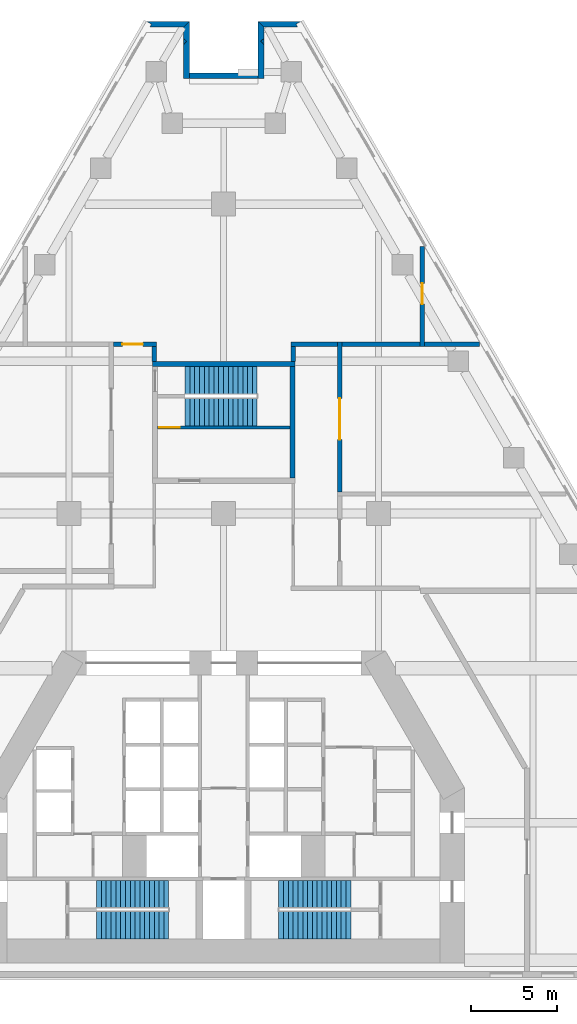
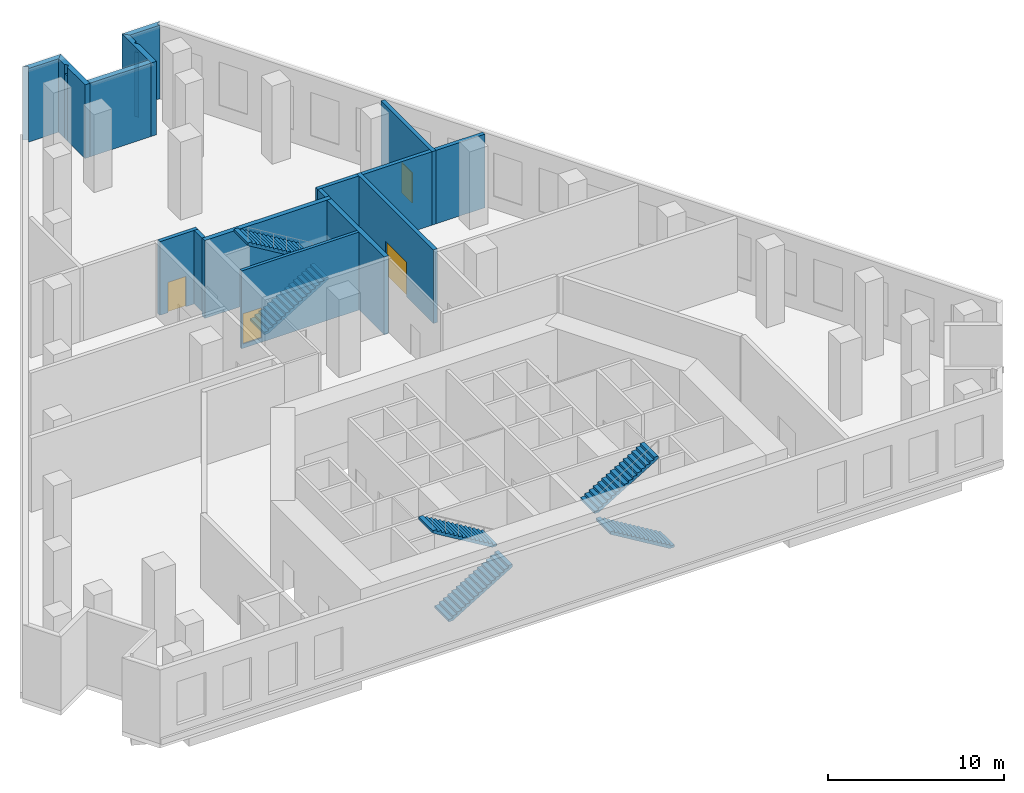
# One storey, part 9 of 10: 18 walls, 6 stair flights, 4 doors, 4 openings, 3 elements without a shape of their own.
"""IFC4 building model written with IfcOpenShell, lengths in metres."""

from ifc_helpers import new_model, si_unit, direction, frame, frame_2d, origin, place, context, subcontext, project, spatial, polyline, rectangle, outline, extrude, material, layer, layer_set, type_object, element, fill, aggregate, save


model = new_model("IFC4")

# Units and contexts
model_context = context("Model", 3, precision=1e-05, world=origin(), true_north=direction((0.0, 1.0)))
body_context = subcontext(model_context, "Body", "Model", "MODEL_VIEW")
ifc_project = project(units=[si_unit("LENGTHUNIT", "METRE"), si_unit("AREAUNIT", "SQUARE_METRE"), si_unit("VOLUMEUNIT", "CUBIC_METRE"), si_unit("PLANEANGLEUNIT", "RADIAN"), si_unit("MASSUNIT", "GRAM", prefix="KILO")], contexts=[model_context])

# Site, building, storey
site_placement = place(None, origin())
site = spatial("IfcSite", under=ifc_project, at=site_placement, CompositionType="ELEMENT")
building_placement = place(site_placement, origin())
building = spatial("IfcBuilding", under=site, at=building_placement, Name="Fogline Exchange Tower", CompositionType="ELEMENT")
storey_placement = place(building_placement, frame((0.0, 0.0, 47.5)))
storey = spatial("IfcBuildingStorey", under=building, at=storey_placement, Name="L09", CompositionType="ELEMENT", Elevation=47.5)

# Wall, opening, door
ifc_material_1 = material(Name="Concrete C40", Category="concrete")
ifc_layer_1 = layer(ifc_material_1, 0.199951171875)
ifc_layer_set_1 = layer_set([ifc_layer_1], Name="CW20R")
wall_type_1 = type_object("IfcWallType", Name="CW20R", PredefinedType="SOLIDWALL", material=ifc_layer_set_1)
wall_1_placement = place(storey_placement, frame((-3.85009765625, 32.007080078125, -0.300048828125), z_axis=(0.0, 0.0, 1.0), x_axis=(1.0, 0.0, 0.0)))
wall_1 = element("IfcWall", 1, at=wall_1_placement, inside=storey, type_object=wall_type_1, Name="Stair enclosure wall ST3", PredefinedType="SOLIDWALL", context=body_context, shape_type="SweptSolid", body=[
    extrude(rectangle(XDim=7.7001953125, YDim=0.199951171875, at=frame_2d((3.85009765625, 0.0))), origin(), (0.0, 0.0, 1.0), 5.400146484375),
])
opening_1_placement = place(wall_1_placement, frame((0.10009765625, 0.0, 0.300048828125)))
opening_1 = element("IfcOpeningElement", 2, at=opening_1_placement, cuts=wall_1, Name="Opening L09-C025", PredefinedType="OPENING", context=body_context, shape_type="SweptSolid", body=[
    extrude(rectangle(XDim=1.199951171875, YDim=2.10009765625, at=frame_2d((0.60009765625, 1.050048828125))), frame((0.0, 0.10986328125, 0.0), z_axis=(0.0, -1.0, 0.0), x_axis=(1.0, 0.0, 0.0)), (0.0, 0.0, 1.0), 0.219970703125),
])
ifc_material_2 = material(Name="Steel and timber fire door", Category="steel")
door_type_1 = type_object("IfcDoorType", Name="D-ST1", OperationType="SINGLE_SWING_LEFT", PredefinedType="DOOR", material=ifc_material_2)
door_1_placement = place(opening_1_placement, origin())
door_1 = element("IfcDoor", 3, at=door_1_placement, inside=storey, type_object=door_type_1, Name="Stair door ST3", OperationType="SINGLE_SWING_LEFT", OverallHeight=2.10009765625, OverallWidth=1.199951171875, PredefinedType="DOOR", context=body_context, shape_type="SweptSolid", body=[
    extrude(rectangle(XDim=1.199951171875, YDim=2.10009765625, at=frame_2d((0.60009765625, 1.050048828125))), frame((0.0, 0.02490234375, 0.0), z_axis=(0.0, -1.0, 0.0), x_axis=(1.0, 0.0, 0.0)), (0.0, 0.0, 1.0), 0.050048828125),
])
fill(opening_1, door_1)

# Walls
ifc_layer_2 = layer(ifc_material_1, 0.300048828125)
ifc_layer_set_2 = layer_set([ifc_layer_2], Name="CW30")
wall_type_2 = type_object("IfcWallType", Name="CW30", PredefinedType="SOLIDWALL", material=ifc_layer_set_2)
wall_2_placement = place(storey_placement, frame((-4.14990234375, 35.70703125, -0.300048828125), z_axis=(0.0, 0.0, 1.0), x_axis=(1.0, 0.0, 0.0)))
element("IfcWall", 4, at=wall_2_placement, inside=storey, type_object=wall_type_2, Name="Stair enclosure wall ST3", PredefinedType="SOLIDWALL", context=body_context, shape_type="SweptSolid", body=[
    extrude(rectangle(XDim=8.2998046875, YDim=0.300048828125, at=frame_2d((4.14990234375, 0.0))), origin(), (0.0, 0.0, 1.0), 5.400146484375),
])
wall_3_placement = place(storey_placement, frame((4.0, 29.056884765625, -0.300048828125), z_axis=(0.0, 0.0, 1.0), x_axis=(0.0, 1.0, 0.0)))
element("IfcWall", 5, at=wall_3_placement, inside=storey, type_object=wall_type_2, Name="Stair enclosure wall ST3", PredefinedType="SOLIDWALL", context=body_context, shape_type="SweptSolid", body=[
    extrude(rectangle(XDim=6.5, YDim=0.300048828125, at=frame_2d((3.25, 0.0))), origin(), (0.0, 0.0, 1.0), 5.400146484375),
])
ifc_material_3 = material(Name="Brick masonry", Category="masonry")
ifc_layer_3 = layer(ifc_material_3, 0.340087890625)
ifc_layer_set_3 = layer_set([ifc_layer_3], Name="FW3")
wall_type_3 = type_object("IfcWallType", Name="FW3", PredefinedType="SOLIDWALL", material=ifc_layer_set_3)
wall_4_placement = place(storey_placement, origin())
element("IfcWall", 6, at=wall_4_placement, inside=storey, type_object=wall_type_3, Name="Brick wall L09 N-c1", PredefinedType="SOLIDWALL", context=body_context, shape_type="SweptSolid", body=[
    extrude(outline(polyline([(1.9990234375, 55.647216796875), (4.5009765625, 55.647216796875), (4.501220703125, 55.646728515625), (4.206298828125, 55.476318359375), (4.3046875, 55.30615234375), (2.33984375, 55.30615234375), (1.998779296875, 55.64697265625), (1.9990234375, 55.647216796875)])), origin(), (0.0, 0.0, 1.0), 5.10009765625),
])
wall_5_placement = place(storey_placement, origin())
element("IfcWall", 7, at=wall_5_placement, inside=storey, type_object=wall_type_3, Name="Brick wall L09 N-s1", PredefinedType="SOLIDWALL", context=body_context, shape_type="SweptSolid", body=[
    extrude(outline(polyline([(2.340576171875, 54.28466796875), (2.16845703125, 54.48974609375), (2.340576171875, 54.634521484375), (2.340576171875, 54.28466796875)])), origin(), (0.0, 0.0, 1.0), 4.5),
])
wall_6_placement = place(storey_placement, origin())
element("IfcWall", 8, at=wall_6_placement, inside=storey, type_object=wall_type_3, Name="Brick wall L09 N-s1", PredefinedType="SOLIDWALL", context=body_context, shape_type="SweptSolid", body=[
    extrude(outline(polyline([(1.99951171875, 52.30615234375), (1.99951171875, 55.647705078125), (1.999755859375, 55.647705078125), (2.340576171875, 55.306884765625), (2.340576171875, 54.634521484375), (2.16845703125, 54.48974609375), (2.340576171875, 54.28466796875), (2.340576171875, 52.30615234375), (1.99951171875, 52.30615234375)])), origin(), (0.0, 0.0, 1.0), 5.10009765625),
])
wall_7_placement = place(storey_placement, frame((2.0, 52.4765625, 0.0), z_axis=(0.0, 0.0, 1.0), x_axis=(-1.0, 0.0, 0.0)))
element("IfcWall", 9, at=wall_7_placement, inside=storey, type_object=wall_type_3, Name="Brick wall L09 N-bk", PredefinedType="SOLIDWALL", context=body_context, shape_type="SweptSolid", body=[
    extrude(rectangle(XDim=4.0, YDim=0.340087890625, at=frame_2d((2.0, 0.0))), origin(), (0.0, 0.0, 1.0), 5.10009765625),
])
wall_8_placement = place(storey_placement, origin())
element("IfcWall", 10, at=wall_8_placement, inside=storey, type_object=wall_type_3, Name="Brick wall L09 N-s2", PredefinedType="SOLIDWALL", context=body_context, shape_type="SweptSolid", body=[
    extrude(outline(polyline([(-2.340576171875, 54.63330078125), (-2.169921875, 54.489990234375), (-2.340576171875, 54.28662109375), (-2.340576171875, 54.63330078125)])), origin(), (0.0, 0.0, 1.0), 4.5),
])
wall_9_placement = place(storey_placement, origin())
element("IfcWall", 11, at=wall_9_placement, inside=storey, type_object=wall_type_3, Name="Brick wall L09 N-s2", PredefinedType="SOLIDWALL", context=body_context, shape_type="SweptSolid", body=[
    extrude(outline(polyline([(-1.99951171875, 52.30615234375), (-2.340576171875, 52.30615234375), (-2.340576171875, 54.28662109375), (-2.169921875, 54.489990234375), (-2.340576171875, 54.63330078125), (-2.340576171875, 55.306884765625), (-1.999755859375, 55.647705078125), (-1.99951171875, 55.647705078125), (-1.99951171875, 52.30615234375)])), origin(), (0.0, 0.0, 1.0), 5.10009765625),
])
wall_10_placement = place(storey_placement, origin())
element("IfcWall", 12, at=wall_10_placement, inside=storey, type_object=wall_type_3, Name="Brick wall L09 N-c2", PredefinedType="SOLIDWALL", context=body_context, shape_type="SweptSolid", body=[
    extrude(outline(polyline([(-4.3046875, 55.30615234375), (-4.206298828125, 55.476318359375), (-4.501220703125, 55.646728515625), (-4.5009765625, 55.647216796875), (-1.9990234375, 55.647216796875), (-1.998779296875, 55.64697265625), (-2.33984375, 55.30615234375), (-4.3046875, 55.30615234375)])), origin(), (0.0, 0.0, 1.0), 5.10009765625),
])

# Wall, opening, door
ifc_layer_4 = layer(ifc_material_1, 0.25)
ifc_layer_set_4 = layer_set([ifc_layer_4], Name="PP3")
wall_type_4 = type_object("IfcWallType", Name="PP3", PredefinedType="SOLIDWALL", material=ifc_layer_set_4)
wall_11_placement = place(storey_placement, frame((6.75, 36.98095703125, 0.0), z_axis=(0.0, 0.0, 1.0), x_axis=(0.0, -1.0, 0.0)))
wall_11 = element("IfcWall", 13, at=wall_11_placement, inside=storey, type_object=wall_type_4, Name="PP3 partition", PredefinedType="SOLIDWALL", context=body_context, shape_type="SweptSolid", body=[
    extrude(rectangle(XDim=8.718017578125, YDim=0.25, at=frame_2d((4.35888671875, 0.0))), origin(), (0.0, 0.0, 1.0), 5.10009765625),
])
opening_2_placement = place(wall_11_placement, frame((3.283935546875, 0.0, 0.0)))
opening_2 = element("IfcOpeningElement", 14, at=opening_2_placement, cuts=wall_11, Name="Opening L09-D008", PredefinedType="OPENING", context=body_context, shape_type="SweptSolid", body=[
    extrude(rectangle(XDim=2.39990234375, YDim=2.39990234375, at=frame_2d((1.199951171875, 1.199951171875))), frame((0.0, 0.135009765625, 0.0), z_axis=(0.0, -1.0, 0.0), x_axis=(1.0, 0.0, 0.0)), (0.0, 0.0, 1.0), 0.27001953125),
])
ifc_material_4 = material(Name="Steel Q235B", Category="steel")
door_type_2 = type_object("IfcDoorType", Name="PD9", OperationType="DOUBLE_DOOR_SINGLE_SWING", PredefinedType="DOOR", material=ifc_material_4)
door_2_placement = place(opening_2_placement, origin())
door_2 = element("IfcDoor", 15, at=door_2_placement, inside=storey, type_object=door_type_2, Name="L09-D008", OperationType="DOUBLE_DOOR_SINGLE_SWING", OverallHeight=2.39990234375, OverallWidth=2.39990234375, PredefinedType="DOOR", context=body_context, shape_type="SweptSolid", body=[
    extrude(rectangle(XDim=2.39990234375, YDim=2.39990234375, at=frame_2d((1.199951171875, 1.199951171875))), frame((0.0, 0.02490234375, 0.0), z_axis=(0.0, -1.0, 0.0), x_axis=(1.0, 0.0, 0.0)), (0.0, 0.0, 1.0), 0.050048828125),
])
fill(opening_2, door_2)

wall_12_placement = place(storey_placement, frame((11.550048828125, 42.539306640625, 0.0), z_axis=(0.0, 0.0, 1.0), x_axis=(0.0, -1.0, 0.0)))
wall_12 = element("IfcWall", 16, at=wall_12_placement, inside=storey, type_object=wall_type_4, Name="PP3 partition", PredefinedType="SOLIDWALL", context=body_context, shape_type="SweptSolid", body=[
    extrude(rectangle(XDim=5.807373046875, YDim=0.25, at=frame_2d((2.90380859375, 0.0))), origin(), (0.0, 0.0, 1.0), 5.10009765625),
])
opening_3_placement = place(wall_12_placement, frame((2.15283203125, 0.0, 0.0)))
opening_3 = element("IfcOpeningElement", 17, at=opening_3_placement, cuts=wall_12, Name="Opening L09-D010", PredefinedType="OPENING", context=body_context, shape_type="SweptSolid", body=[
    extrude(rectangle(XDim=1.199951171875, YDim=2.10009765625, at=frame_2d((0.60009765625, 1.050048828125))), frame((0.0, 0.135009765625, 0.0), z_axis=(0.0, -1.0, 0.0), x_axis=(1.0, 0.0, 0.0)), (0.0, 0.0, 1.0), 0.27001953125),
])
door_type_3 = type_object("IfcDoorType", Name="PD7", OperationType="SINGLE_SWING_LEFT", PredefinedType="DOOR", material=ifc_material_4)
door_3_placement = place(opening_3_placement, origin())
door_3 = element("IfcDoor", 18, at=door_3_placement, inside=storey, type_object=door_type_3, Name="L09-D010", OperationType="SINGLE_SWING_LEFT", OverallHeight=2.10009765625, OverallWidth=1.199951171875, PredefinedType="DOOR", context=body_context, shape_type="SweptSolid", body=[
    extrude(rectangle(XDim=1.199951171875, YDim=2.10009765625, at=frame_2d((0.60009765625, 1.050048828125))), frame((0.0, 0.02490234375, 0.0), z_axis=(0.0, -1.0, 0.0), x_axis=(1.0, 0.0, 0.0)), (0.0, 0.0, 1.0), 0.050048828125),
])
fill(opening_3, door_3)

# Walls
wall_13_placement = place(storey_placement, frame((11.425048828125, 36.85595703125, 0.0), z_axis=(0.0, 0.0, 1.0), x_axis=(-1.0, 0.0, 0.0)))
element("IfcWall", 19, at=wall_13_placement, inside=storey, type_object=wall_type_4, Name="PP3 partition", PredefinedType="SOLIDWALL", context=body_context, shape_type="SweptSolid", body=[
    extrude(rectangle(XDim=4.550048828125, YDim=0.25, at=frame_2d((2.27490234375, 0.0))), origin(), (0.0, 0.0, 1.0), 5.10009765625),
])
wall_14_placement = place(storey_placement, frame((11.675048828125, 36.85693359375, 0.0), z_axis=(0.0, 0.0, 1.0), x_axis=(1.0, 0.0, 0.0)))
element("IfcWall", 20, at=wall_14_placement, inside=storey, type_object=wall_type_4, Name="PP3 partition", PredefinedType="SOLIDWALL", context=body_context, shape_type="SweptSolid", body=[
    extrude(rectangle(XDim=3.208251953125, YDim=0.25, at=frame_2d((1.60400390625, 0.0))), origin(), (0.0, 0.0, 1.0), 5.10009765625),
])
wall_15_placement = place(storey_placement, frame((3.925048828125, 36.85693359375, 0.0), z_axis=(0.0, 0.0, 1.0), x_axis=(1.0, 0.0, 0.0)))
element("IfcWall", 21, at=wall_15_placement, inside=storey, type_object=wall_type_4, Name="PP3 partition", PredefinedType="SOLIDWALL", context=body_context, shape_type="SweptSolid", body=[
    extrude(rectangle(XDim=2.699951171875, YDim=0.25, at=frame_2d((1.35009765625, 0.0))), origin(), (0.0, 0.0, 1.0), 5.10009765625),
])

# Wall, opening, door
wall_16_placement = place(storey_placement, frame((-6.425048828125, 36.85693359375, 0.0), z_axis=(0.0, 0.0, 1.0), x_axis=(1.0, 0.0, 0.0)))
wall_16 = element("IfcWall", 22, at=wall_16_placement, inside=storey, type_object=wall_type_4, Name="PP3 partition", PredefinedType="SOLIDWALL", context=body_context, shape_type="SweptSolid", body=[
    extrude(rectangle(XDim=2.5, YDim=0.25, at=frame_2d((1.25, 0.0))), origin(), (0.0, 0.0, 1.0), 5.10009765625),
])
opening_4_placement = place(wall_16_placement, frame((0.52490234375, 0.0, 0.0)))
opening_4 = element("IfcOpeningElement", 23, at=opening_4_placement, cuts=wall_16, Name="Opening L09-D004", PredefinedType="OPENING", context=body_context, shape_type="SweptSolid", body=[
    extrude(rectangle(XDim=1.199951171875, YDim=2.10009765625, at=frame_2d((0.60009765625, 1.050048828125))), frame((0.0, 0.135009765625, 0.0), z_axis=(0.0, -1.0, 0.0), x_axis=(1.0, 0.0, 0.0)), (0.0, 0.0, 1.0), 0.27001953125),
])
door_4_placement = place(opening_4_placement, origin())
door_4 = element("IfcDoor", 24, at=door_4_placement, inside=storey, type_object=door_type_3, Name="L09-D004", OperationType="SINGLE_SWING_LEFT", OverallHeight=2.10009765625, OverallWidth=1.199951171875, PredefinedType="DOOR", context=body_context, shape_type="SweptSolid", body=[
    extrude(rectangle(XDim=1.199951171875, YDim=2.10009765625, at=frame_2d((0.60009765625, 1.050048828125))), frame((0.0, 0.02490234375, 0.0), z_axis=(0.0, -1.0, 0.0), x_axis=(1.0, 0.0, 0.0)), (0.0, 0.0, 1.0), 0.050048828125),
])
fill(opening_4, door_4)

# Walls
for number, where, z_axis, x_axis, name in (
    (25, (4.050048828125, 35.85693359375, 0.0), (0.0, 0.0, 1.0), (0.0, 1.0, 0.0), "PP3 partition"),
    (26, (-4.050048828125, 36.73193359375, 0.0), (0.0, 0.0, 1.0), (0.0, -1.0, 0.0), "PP3 partition"),
):
    element("IfcWall", number, at=place(storey_placement, frame(where, z_axis=z_axis, x_axis=x_axis)), inside=storey, type_object=wall_type_4, Name=name, PredefinedType="SOLIDWALL", context=body_context, shape_type="SweptSolid", body=[
        extrude(rectangle(XDim=0.875, YDim=0.25, at=frame_2d((0.4375, 0.0))), origin(), (0.0, 0.0, 1.0), 5.10009765625),
    ])

# Stair, stair flights
stair_type = type_object("IfcStairType", Name="STR32-1688", PredefinedType="HALF_TURN_STAIR", material=ifc_material_1)
stair_1_placement = place(storey_placement, origin())
stair_1 = element("IfcStair", 27, at=stair_1_placement, inside=storey, type_object=stair_type, Name="Stair ST1", PredefinedType="HALF_TURN_STAIR")
stair_flight_type = type_object("IfcStairFlightType", Name="SF16-1688", PredefinedType="STRAIGHT", material=ifc_material_1)
stair_flight_1_placement = place(storey_placement, frame((-7.39990234375, 3.050048828125, 0.0), z_axis=(0.0, 0.0, 1.0), x_axis=(1.0, 0.0, 0.0)))
stair_flight_1 = element("IfcStairFlight", 28, at=stair_flight_1_placement, type_object=stair_flight_type, Name="ST1 flight 1", NumberOfRisers=16, NumberOfTreads=15, PredefinedType="STRAIGHT", RiserHeight=0.16875, TreadLength=0.28, context=body_context, shape_type="SweptSolid", body=[
    extrude(outline(polyline([(0.0, 0.0), (0.0, 0.168701171875), (0.280029296875, 0.168701171875), (0.280029296875, 0.33740234375), (0.56005859375, 0.33740234375), (0.56005859375, 0.50634765625), (0.840087890625, 0.50634765625), (0.840087890625, 0.675048828125), (1.1201171875, 0.675048828125), (1.1201171875, 0.84375), (1.39990234375, 0.84375), (1.39990234375, 1.012451171875), (1.679931640625, 1.012451171875), (1.679931640625, 1.18115234375), (1.9599609375, 1.18115234375), (1.9599609375, 1.35009765625), (2.239990234375, 1.35009765625), (2.239990234375, 1.518798828125), (2.52001953125, 1.518798828125), (2.52001953125, 1.6875), (2.800048828125, 1.6875), (2.800048828125, 1.856201171875), (3.080078125, 1.856201171875), (3.080078125, 2.02490234375), (3.360107421875, 2.02490234375), (3.360107421875, 2.19384765625), (3.639892578125, 2.19384765625), (3.639892578125, 2.362548828125), (3.919921875, 2.362548828125), (3.919921875, 2.53125), (4.199951171875, 2.53125), (4.199951171875, 2.699951171875), (4.199951171875, 2.356201171875), (0.29052734375, 0.0), (0.0, 0.0)])), frame((0.0, 0.800048828125, 0.0), z_axis=(0.0, -1.0, 0.0), x_axis=(1.0, 0.0, 0.0)), (0.0, 0.0, 1.0), 1.60009765625),
])
stair_flight_2_placement = place(storey_placement, frame((-3.199951171875, 4.85009765625, 2.699951171875), z_axis=(0.0, 0.0, 1.0), x_axis=(-1.0, 0.0, 0.0)))
stair_flight_2 = element("IfcStairFlight", 29, at=stair_flight_2_placement, type_object=stair_flight_type, Name="ST1 flight 2", NumberOfRisers=16, NumberOfTreads=15, PredefinedType="STRAIGHT", RiserHeight=0.16875, TreadLength=0.28, context=body_context, shape_type="SweptSolid", body=[
    extrude(outline(polyline([(0.0, 0.0), (0.0, 0.168701171875), (0.280029296875, 0.168701171875), (0.280029296875, 0.33740234375), (0.56005859375, 0.33740234375), (0.56005859375, 0.50634765625), (0.840087890625, 0.50634765625), (0.840087890625, 0.675048828125), (1.1201171875, 0.675048828125), (1.1201171875, 0.84375), (1.39990234375, 0.84375), (1.39990234375, 1.012451171875), (1.679931640625, 1.012451171875), (1.679931640625, 1.18115234375), (1.9599609375, 1.18115234375), (1.9599609375, 1.35009765625), (2.239990234375, 1.35009765625), (2.239990234375, 1.518798828125), (2.52001953125, 1.518798828125), (2.52001953125, 1.6875), (2.800048828125, 1.6875), (2.800048828125, 1.856201171875), (3.080078125, 1.856201171875), (3.080078125, 2.02490234375), (3.360107421875, 2.02490234375), (3.360107421875, 2.19384765625), (3.639892578125, 2.19384765625), (3.639892578125, 2.362548828125), (3.919921875, 2.362548828125), (3.919921875, 2.53125), (4.199951171875, 2.53125), (4.199951171875, 2.699951171875), (4.199951171875, 2.356201171875), (0.29052734375, 0.0), (0.0, 0.0)])), frame((0.0, 0.800048828125, 0.0), z_axis=(0.0, -1.0, 0.0), x_axis=(1.0, 0.0, 0.0)), (0.0, 0.0, 1.0), 1.60009765625),
])
aggregate(stair_1, [stair_flight_1, stair_flight_2])

stair_2_placement = place(storey_placement, origin())
stair_2 = element("IfcStair", 30, at=stair_2_placement, inside=storey, type_object=stair_type, Name="Stair ST2", PredefinedType="HALF_TURN_STAIR")
stair_flight_3_placement = place(storey_placement, frame((7.39990234375, 3.050048828125, 0.0), z_axis=(0.0, 0.0, 1.0), x_axis=(-1.0, 0.0, 0.0)))
stair_flight_3 = element("IfcStairFlight", 31, at=stair_flight_3_placement, type_object=stair_flight_type, Name="ST2 flight 1", NumberOfRisers=16, NumberOfTreads=15, PredefinedType="STRAIGHT", RiserHeight=0.16875, TreadLength=0.28, context=body_context, shape_type="SweptSolid", body=[
    extrude(outline(polyline([(0.0, 0.0), (0.0, 0.168701171875), (0.280029296875, 0.168701171875), (0.280029296875, 0.33740234375), (0.56005859375, 0.33740234375), (0.56005859375, 0.50634765625), (0.840087890625, 0.50634765625), (0.840087890625, 0.675048828125), (1.1201171875, 0.675048828125), (1.1201171875, 0.84375), (1.39990234375, 0.84375), (1.39990234375, 1.012451171875), (1.679931640625, 1.012451171875), (1.679931640625, 1.18115234375), (1.9599609375, 1.18115234375), (1.9599609375, 1.35009765625), (2.239990234375, 1.35009765625), (2.239990234375, 1.518798828125), (2.52001953125, 1.518798828125), (2.52001953125, 1.6875), (2.800048828125, 1.6875), (2.800048828125, 1.856201171875), (3.080078125, 1.856201171875), (3.080078125, 2.02490234375), (3.360107421875, 2.02490234375), (3.360107421875, 2.19384765625), (3.639892578125, 2.19384765625), (3.639892578125, 2.362548828125), (3.919921875, 2.362548828125), (3.919921875, 2.53125), (4.199951171875, 2.53125), (4.199951171875, 2.699951171875), (4.199951171875, 2.356201171875), (0.29052734375, 0.0), (0.0, 0.0)])), frame((0.0, 0.800048828125, 0.0), z_axis=(0.0, -1.0, 0.0), x_axis=(1.0, 0.0, 0.0)), (0.0, 0.0, 1.0), 1.60009765625),
])
stair_flight_4_placement = place(storey_placement, frame((3.199951171875, 4.85009765625, 2.699951171875), z_axis=(0.0, 0.0, 1.0), x_axis=(1.0, 0.0, 0.0)))
stair_flight_4 = element("IfcStairFlight", 32, at=stair_flight_4_placement, type_object=stair_flight_type, Name="ST2 flight 2", NumberOfRisers=16, NumberOfTreads=15, PredefinedType="STRAIGHT", RiserHeight=0.16875, TreadLength=0.28, context=body_context, shape_type="SweptSolid", body=[
    extrude(outline(polyline([(0.0, 0.0), (0.0, 0.168701171875), (0.280029296875, 0.168701171875), (0.280029296875, 0.33740234375), (0.56005859375, 0.33740234375), (0.56005859375, 0.50634765625), (0.840087890625, 0.50634765625), (0.840087890625, 0.675048828125), (1.1201171875, 0.675048828125), (1.1201171875, 0.84375), (1.39990234375, 0.84375), (1.39990234375, 1.012451171875), (1.679931640625, 1.012451171875), (1.679931640625, 1.18115234375), (1.9599609375, 1.18115234375), (1.9599609375, 1.35009765625), (2.239990234375, 1.35009765625), (2.239990234375, 1.518798828125), (2.52001953125, 1.518798828125), (2.52001953125, 1.6875), (2.800048828125, 1.6875), (2.800048828125, 1.856201171875), (3.080078125, 1.856201171875), (3.080078125, 2.02490234375), (3.360107421875, 2.02490234375), (3.360107421875, 2.19384765625), (3.639892578125, 2.19384765625), (3.639892578125, 2.362548828125), (3.919921875, 2.362548828125), (3.919921875, 2.53125), (4.199951171875, 2.53125), (4.199951171875, 2.699951171875), (4.199951171875, 2.356201171875), (0.29052734375, 0.0), (0.0, 0.0)])), frame((0.0, 0.800048828125, 0.0), z_axis=(0.0, -1.0, 0.0), x_axis=(1.0, 0.0, 0.0)), (0.0, 0.0, 1.0), 1.60009765625),
])
aggregate(stair_2, [stair_flight_3, stair_flight_4])

stair_3_placement = place(storey_placement, origin())
stair_3 = element("IfcStair", 33, at=stair_3_placement, inside=storey, type_object=stair_type, Name="Stair ST3", PredefinedType="HALF_TURN_STAIR")
stair_flight_5_placement = place(storey_placement, frame((-2.25, 32.906982421875, 0.0), z_axis=(0.0, 0.0, 1.0), x_axis=(1.0, 0.0, 0.0)))
stair_flight_5 = element("IfcStairFlight", 34, at=stair_flight_5_placement, type_object=stair_flight_type, Name="ST3 flight 1", NumberOfRisers=16, NumberOfTreads=15, PredefinedType="STRAIGHT", RiserHeight=0.16875, TreadLength=0.28, context=body_context, shape_type="SweptSolid", body=[
    extrude(outline(polyline([(0.0, 0.0), (0.0, 0.168701171875), (0.280029296875, 0.168701171875), (0.280029296875, 0.33740234375), (0.56005859375, 0.33740234375), (0.56005859375, 0.50634765625), (0.840087890625, 0.50634765625), (0.840087890625, 0.675048828125), (1.1201171875, 0.675048828125), (1.1201171875, 0.84375), (1.39990234375, 0.84375), (1.39990234375, 1.012451171875), (1.679931640625, 1.012451171875), (1.679931640625, 1.18115234375), (1.9599609375, 1.18115234375), (1.9599609375, 1.35009765625), (2.239990234375, 1.35009765625), (2.239990234375, 1.518798828125), (2.52001953125, 1.518798828125), (2.52001953125, 1.6875), (2.800048828125, 1.6875), (2.800048828125, 1.856201171875), (3.080078125, 1.856201171875), (3.080078125, 2.02490234375), (3.360107421875, 2.02490234375), (3.360107421875, 2.19384765625), (3.639892578125, 2.19384765625), (3.639892578125, 2.362548828125), (3.919921875, 2.362548828125), (3.919921875, 2.53125), (4.199951171875, 2.53125), (4.199951171875, 2.699951171875), (4.199951171875, 2.356201171875), (0.29052734375, 0.0), (0.0, 0.0)])), frame((0.0, 0.800048828125, 0.0), z_axis=(0.0, -1.0, 0.0), x_axis=(1.0, 0.0, 0.0)), (0.0, 0.0, 1.0), 1.60009765625),
])
stair_flight_6_placement = place(storey_placement, frame((1.949951171875, 34.757080078125, 2.699951171875), z_axis=(0.0, 0.0, 1.0), x_axis=(-1.0, 0.0, 0.0)))
stair_flight_6 = element("IfcStairFlight", 35, at=stair_flight_6_placement, type_object=stair_flight_type, Name="ST3 flight 2", NumberOfRisers=16, NumberOfTreads=15, PredefinedType="STRAIGHT", RiserHeight=0.16875, TreadLength=0.28, context=body_context, shape_type="SweptSolid", body=[
    extrude(outline(polyline([(0.0, 0.0), (0.0, 0.168701171875), (0.280029296875, 0.168701171875), (0.280029296875, 0.33740234375), (0.56005859375, 0.33740234375), (0.56005859375, 0.50634765625), (0.840087890625, 0.50634765625), (0.840087890625, 0.675048828125), (1.1201171875, 0.675048828125), (1.1201171875, 0.84375), (1.39990234375, 0.84375), (1.39990234375, 1.012451171875), (1.679931640625, 1.012451171875), (1.679931640625, 1.18115234375), (1.9599609375, 1.18115234375), (1.9599609375, 1.35009765625), (2.239990234375, 1.35009765625), (2.239990234375, 1.518798828125), (2.52001953125, 1.518798828125), (2.52001953125, 1.6875), (2.800048828125, 1.6875), (2.800048828125, 1.856201171875), (3.080078125, 1.856201171875), (3.080078125, 2.02490234375), (3.360107421875, 2.02490234375), (3.360107421875, 2.19384765625), (3.639892578125, 2.19384765625), (3.639892578125, 2.362548828125), (3.919921875, 2.362548828125), (3.919921875, 2.53125), (4.199951171875, 2.53125), (4.199951171875, 2.699951171875), (4.199951171875, 2.356201171875), (0.29052734375, 0.0), (0.0, 0.0)])), frame((0.0, 0.800048828125, 0.0), z_axis=(0.0, -1.0, 0.0), x_axis=(1.0, 0.0, 0.0)), (0.0, 0.0, 1.0), 1.60009765625),
])
aggregate(stair_3, [stair_flight_5, stair_flight_6])

save(model, "model.ifc")
